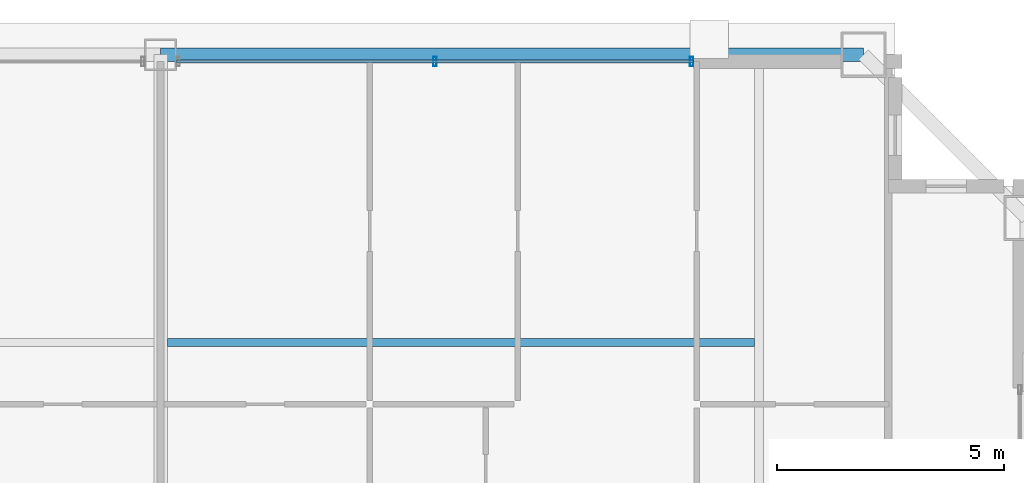
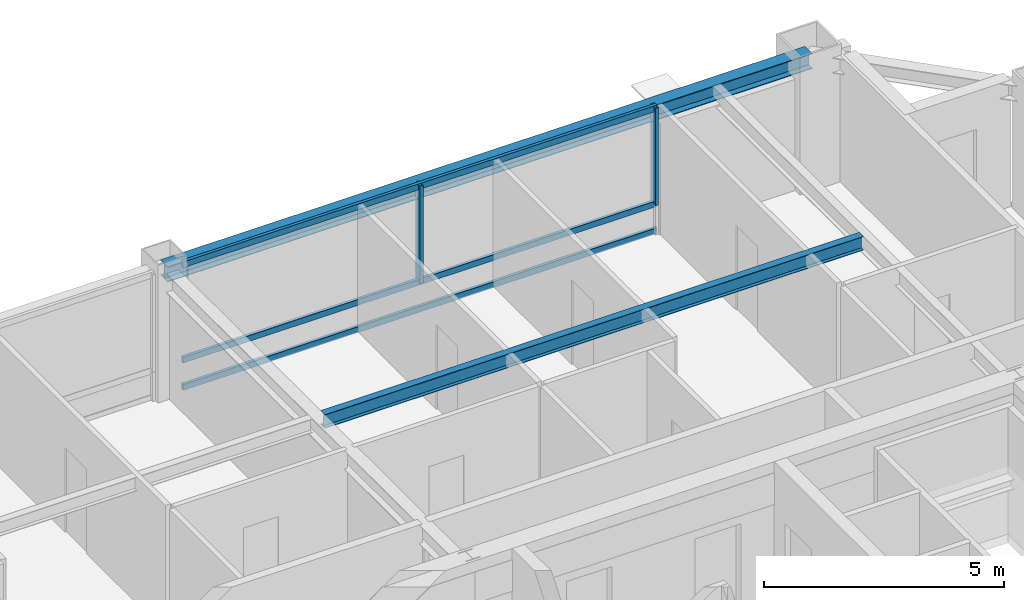
# One storey, part 19 of 35: 5 members, 2 beams, 1 element without a shape of its own.
"""IFC4 building model written with IfcOpenShell, lengths in metres."""

from ifc_helpers import new_model, si_unit, direction, frame, origin, origin_2d, place, context, subcontext, project, spatial, hollow_rectangle, i_section, extrude, source, transform, mapped, material, layer, layer_set, material_profile, profile_set, type_object, element, aggregate, save


model = new_model("IFC4")

# Units and contexts
model_context = context("Model", 3, precision=1e-05, world=origin(), true_north=direction((0.0, 1.0)))
body_context = subcontext(model_context, "Body", "Model", "MODEL_VIEW")
ifc_project = project(units=[si_unit("LENGTHUNIT", "METRE"), si_unit("AREAUNIT", "SQUARE_METRE"), si_unit("VOLUMEUNIT", "CUBIC_METRE"), si_unit("PLANEANGLEUNIT", "RADIAN"), si_unit("MASSUNIT", "GRAM", prefix="KILO"), si_unit("THERMODYNAMICTEMPERATUREUNIT", "KELVIN"), si_unit("POWERUNIT", "WATT")], contexts=[model_context])

# Site, building, storey
site_placement = place(None, origin())
site = spatial("IfcSite", under=ifc_project, at=site_placement, CompositionType="ELEMENT")
building_placement = place(site_placement, origin())
building = spatial("IfcBuilding", under=site, at=building_placement, Name="Yuzanri Waterfront Tower", CompositionType="ELEMENT")
storey_placement = place(building_placement, frame((0.0, 0.0, 303.10009765625)))
storey = spatial("IfcBuildingStorey", under=building, at=storey_placement, Name="L81", CompositionType="ELEMENT", Elevation=303.10009765625)

# Beams
ifc_material_1 = material(Name="Steel Q355B", Category="steel")
ifc_material_profile_1 = material_profile(ifc_material_1, i_section(OverallWidth=0.175048828125, OverallDepth=0.35009765625, WebThickness=0.007080078125, FlangeThickness=0.010986328125, at=origin_2d()), Name="HN 350x175x7x11")
ifc_profile_set_1 = profile_set([ifc_material_profile_1], Name="Steel Q355B")
beam_type_1 = type_object("IfcBeamType", Name="Floor Joist Q355B HN 350x175", PredefinedType="JOIST", material=ifc_profile_set_1)
shared_shape_1 = source(origin(), body_context, "Body", "SweptSolid", [
    extrude(i_section(OverallWidth=0.175048828125, OverallDepth=0.35009765625, WebThickness=0.007080078125, FlangeThickness=0.010986328125, at=origin_2d()), origin(), (0.0, 0.0, 1.0), 12.9501953125),
])
beam_1_placement = place(storey_placement, frame((37.14990234375, 38.550048828125, 3.044921875), z_axis=(1.0, 0.0, 0.0), x_axis=(0.0, 1.0, 0.0)))
element("IfcBeam", 1, at=beam_1_placement, inside=storey, type_object=beam_type_1, Name="L81 North Bay Joist E", PredefinedType="JOIST", context=body_context, shape_type="MappedRepresentation", body=[
    mapped(shared_shape_1, transform((0.0, 0.0, 0.0), scale=1.0)),
])
ifc_material_2 = material(Name="Steel Q355B", Category="steel")
ifc_material_profile_2 = material_profile(ifc_material_2, i_section(OverallWidth=0.300048828125, OverallDepth=0.389892578125, WebThickness=0.010009765625, FlangeThickness=0.01611328125, at=origin_2d()), Name="HM 390x300x10x16")
ifc_profile_set_2 = profile_set([ifc_material_profile_2], Name="Steel Q355B")
beam_type_2 = type_object("IfcBeamType", Name="Perimeter Spandrel Q355B HM 390x300", PredefinedType="SPANDREL", material=ifc_profile_set_2)
shared_shape_2 = source(origin(), body_context, "Body", "SweptSolid", [
    extrude(i_section(OverallWidth=0.300048828125, OverallDepth=0.389892578125, WebThickness=0.010009765625, FlangeThickness=0.01611328125, at=origin_2d()), origin(), (0.0, 0.0, 1.0), 15.5),
])
beam_2_placement = place(storey_placement, frame((52.5, 44.89990234375, 3.02490234375), z_axis=(-1.0, 0.0, 0.0), x_axis=(0.0, -1.0, 0.0)))
element("IfcBeam", 2, at=beam_2_placement, inside=storey, type_object=beam_type_2, Name="L81 Perimeter Spandrel N3-N2", PredefinedType="SPANDREL", context=body_context, shape_type="MappedRepresentation", body=[
    mapped(shared_shape_2, transform((0.0, 0.0, 0.0), scale=1.0)),
])

# Curtain wall, members
ifc_material_3 = material(Name="Anodized Architectural Bronze", Category="metal")
ifc_layer = layer(ifc_material_3, 0.159912109375)
ifc_layer_set = layer_set([ifc_layer], Name="Anodized Architectural Bronze")
curtain_wall_type = type_object("IfcCurtainWallType", Name="Anodized Bronze High-Rise Penthouse High-Wind Unitized Curtain Wall 6900", PredefinedType="NOTDEFINED", material=ifc_layer_set)
curtain_wall_placement = place(storey_placement, origin())
curtain_wall = element("IfcCurtainWall", 3, at=curtain_wall_placement, inside=storey, type_object=curtain_wall_type, Name="L81 Curtain Wall CW-L81-NR", PredefinedType="NOTDEFINED")
ifc_material_4 = material(Name="Anodized Architectural Bronze", Category="metal")
ifc_material_profile_3 = material_profile(ifc_material_4, hollow_rectangle(XDim=0.074951171875, YDim=0.14990234375, WallThickness=0.00390625, at=origin_2d()), Name="CWT 75x150")
ifc_profile_set_3 = profile_set([ifc_material_profile_3], Name="Anodized Architectural Bronze")
member_type_1 = type_object("IfcMemberType", Name="Anodized Bronze Primary Curtain-Wall Transom 75x150", PredefinedType="USERDEFINED", material=ifc_profile_set_3)
shared_shape_3 = source(origin(), body_context, "Body", "SweptSolid", [
    extrude(hollow_rectangle(XDim=0.074951171875, YDim=0.14990234375, WallThickness=0.00390625, at=origin_2d()), origin(), (0.0, 0.0, 1.0), 11.39990234375),
])
member_1_placement = place(storey_placement, frame((37.35009765625, 44.75, 0.0498046875), z_axis=(1.0, 0.0, 0.0), x_axis=(0.0, 1.0, 0.0)))
member_1 = element("IfcMember", 4, at=member_1_placement, type_object=member_type_1, Name="CW-L81-NR Transom 1", ObjectType="TRANSOM", PredefinedType="USERDEFINED", context=body_context, shape_type="MappedRepresentation", body=[
    mapped(shared_shape_3, transform((0.0, 0.0, 0.0), scale=1.0)),
])
member_2_placement = place(storey_placement, frame((37.35009765625, 44.75, 0.740966796875), z_axis=(1.0, 0.0, 0.0), x_axis=(0.0, 1.0, 0.0)))
member_2 = element("IfcMember", 5, at=member_2_placement, type_object=member_type_1, Name="CW-L81-NR Transom 2", ObjectType="TRANSOM", PredefinedType="USERDEFINED", context=body_context, shape_type="MappedRepresentation", body=[
    mapped(shared_shape_3, transform((0.0, 0.0, 0.0), scale=1.0)),
])
member_3_placement = place(storey_placement, frame((37.35009765625, 44.75, 3.169921875), z_axis=(1.0, 0.0, 0.0), x_axis=(0.0, 1.0, 0.0)))
member_3 = element("IfcMember", 6, at=member_3_placement, type_object=member_type_1, Name="CW-L81-NR Transom 3", ObjectType="TRANSOM", PredefinedType="USERDEFINED", context=body_context, shape_type="MappedRepresentation", body=[
    mapped(shared_shape_3, transform((0.0, 0.0, 0.0), scale=1.0)),
])
ifc_material_5 = material(Name="Anodized Architectural Bronze", Category="metal")
ifc_material_profile_4 = material_profile(ifc_material_5, hollow_rectangle(XDim=0.074951171875, YDim=0.199951171875, WallThickness=0.00390625, at=origin_2d()), Name="CWM 75x200")
ifc_profile_set_4 = profile_set([ifc_material_profile_4], Name="Anodized Architectural Bronze")
member_type_2 = type_object("IfcMemberType", Name="Anodized Bronze Primary Curtain-Wall Mullion 75x200", PredefinedType="MULLION", material=ifc_profile_set_4)
shared_shape_4 = source(origin(), body_context, "Body", "SweptSolid", [
    extrude(hollow_rectangle(XDim=0.074951171875, YDim=0.199951171875, WallThickness=0.00390625, at=origin_2d()), origin(), (0.0, 0.0, 1.0), 2.47705078125),
])
member_4_placement = place(storey_placement, frame((43.050048828125, 44.75, 0.742919921875), z_axis=(0.0, 0.0, 1.0), x_axis=(1.0, 0.0, 0.0)))
member_4 = element("IfcMember", 7, at=member_4_placement, type_object=member_type_2, Name="CW-L81-NR Upper Mullion 01", PredefinedType="MULLION", context=body_context, shape_type="MappedRepresentation", body=[
    mapped(shared_shape_4, transform((0.0, 0.0, 0.0), scale=1.0)),
])
member_5_placement = place(storey_placement, frame((48.7099609375, 44.75, 0.742919921875), z_axis=(0.0, 0.0, 1.0), x_axis=(1.0, 0.0, 0.0)))
member_5 = element("IfcMember", 8, at=member_5_placement, type_object=member_type_2, Name="CW-L81-NR Upper Mullion 02", PredefinedType="MULLION", context=body_context, shape_type="MappedRepresentation", body=[
    mapped(shared_shape_4, transform((0.0, 0.0, 0.0), scale=1.0)),
])
aggregate(curtain_wall, [member_4, member_5, member_1, member_2, member_3])

save(model, "model.ifc")
